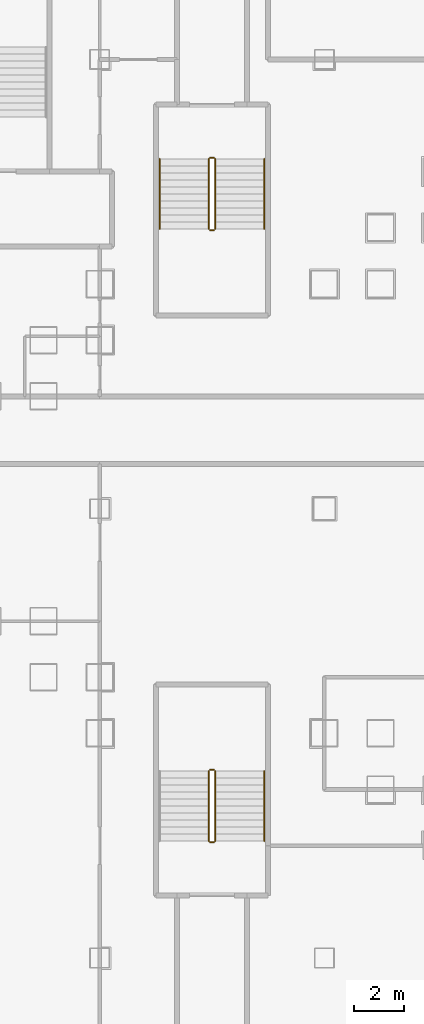
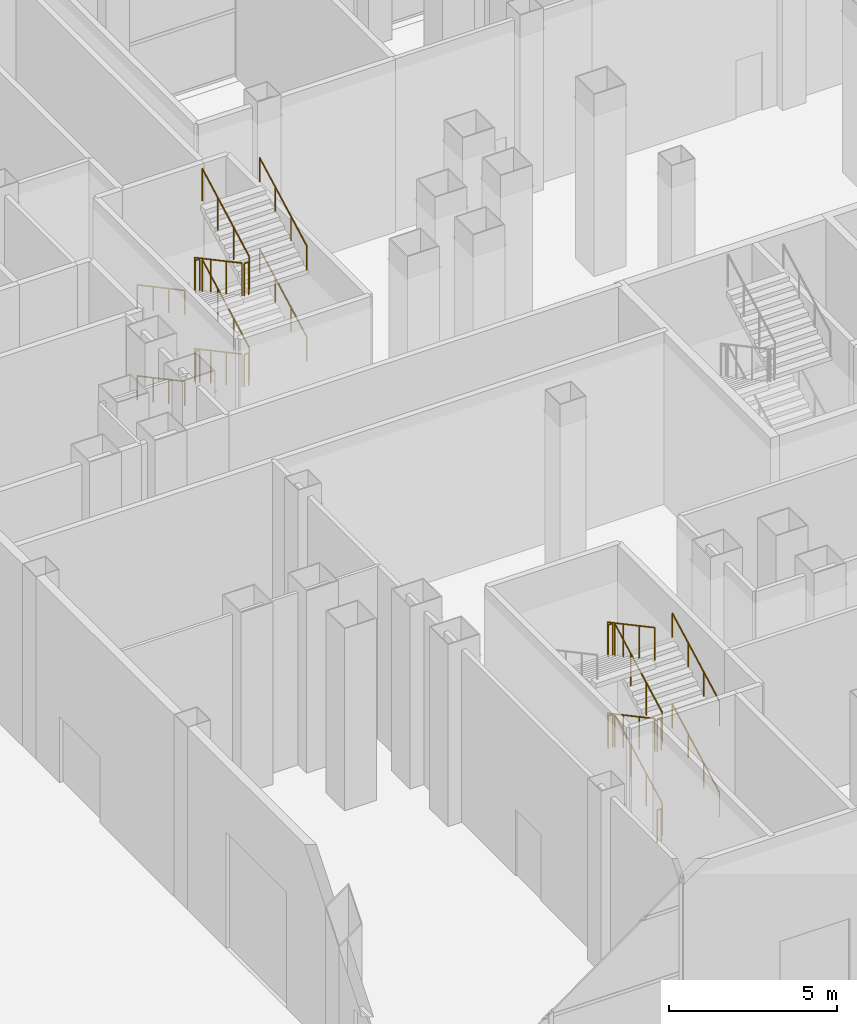
# One storey, part 31 of 38: 22 railings.
"""IFC4 building model written with IfcOpenShell, lengths in metres."""

from ifc_helpers import new_model, si_unit, direction, frame, origin, origin_2d, place, context, subcontext, project, spatial, circle, extrude, material, type_object, element, save


model = new_model("IFC4")

# Units and contexts
model_context = context("Model", 3, precision=1e-05, world=origin(), true_north=direction((0.0, 1.0)))
body_context = subcontext(model_context, "Body", "Model", "MODEL_VIEW")
ifc_project = project(units=[si_unit("LENGTHUNIT", "METRE"), si_unit("AREAUNIT", "SQUARE_METRE"), si_unit("VOLUMEUNIT", "CUBIC_METRE"), si_unit("PLANEANGLEUNIT", "RADIAN"), si_unit("MASSUNIT", "GRAM", prefix="KILO")], contexts=[model_context])

# Site, building, storey
site_placement = place(None, origin())
site = spatial("IfcSite", under=ifc_project, at=site_placement, CompositionType="ELEMENT")
building_placement = place(site_placement, origin())
building = spatial("IfcBuilding", under=site, at=building_placement, Name="Caravel Reach Hotel and Residences", CompositionType="ELEMENT")
storey_placement = place(building_placement, origin())
storey = spatial("IfcBuildingStorey", under=building, at=storey_placement, Name="L00", CompositionType="ELEMENT", Elevation=0.0)

# Railings
ifc_material_1 = material(Name="Steel balustrade with glass infill", Category="steel")
railing_type_1 = type_object("IfcRailingType", Name="Guard 1200", PredefinedType="GUARDRAIL", material=ifc_material_1)
railing_1_placement = place(storey_placement, frame((8.875, 41.010009765625, 0.14990234375)))
element("IfcRailing", 1, at=railing_1_placement, inside=storey, type_object=railing_type_1, Name="L00 ST-P1 stair guard 1", PredefinedType="GUARDRAIL", context=body_context, shape_type="SweptSolid", body=[
    extrude(circle(Radius=0.02392578125, at=origin_2d()), frame((0.0, 0.0, 1.17578125), z_axis=(0.0, -0.881483397762, 0.472215014025), x_axis=(1.0, 0.0, 0.0)), (0.0, 0.0, 1.0), 3.176513671875),
    extrude(circle(Radius=0.02099609375, at=origin_2d()), origin(), (0.0, 0.0, 1.0), 1.15185546875),
    extrude(circle(Radius=0.02099609375, at=origin_2d()), frame((0.0, -0.933349609375, 0.5)), (0.0, 0.0, 1.0), 1.15185546875),
    extrude(circle(Radius=0.02099609375, at=origin_2d()), frame((0.0, -1.86669921875, 1.0)), (0.0, 0.0, 1.0), 1.15185546875),
    extrude(circle(Radius=0.02099609375, at=origin_2d()), frame((0.0, -2.800048828125, 1.5)), (0.0, 0.0, 1.0), 1.15185546875),
])
railing_2_placement = place(storey_placement, frame((8.925048828125, 38.159912109375, 1.64990234375)))
element("IfcRailing", 2, at=railing_2_placement, inside=storey, type_object=railing_type_1, Name="L00 ST-P1 stair guard 2", PredefinedType="GUARDRAIL", context=body_context, shape_type="SweptSolid", body=[
    extrude(circle(Radius=0.02392578125, at=origin_2d()), frame((0.0, 0.0, 1.17578125), z_axis=(1.0, 0.0, 0.0), x_axis=(0.0, 1.0, 0.0)), (0.0, 0.0, 1.0), 0.14990234375),
    extrude(circle(Radius=0.02099609375, at=origin_2d()), origin(), (0.0, 0.0, 1.0), 1.15185546875),
    extrude(circle(Radius=0.02099609375, at=origin_2d()), frame((0.14990234375, 0.0, 0.0)), (0.0, 0.0, 1.0), 1.15185546875),
])
railing_3_placement = place(storey_placement, frame((9.125, 38.2099609375, 1.800048828125)))
element("IfcRailing", 3, at=railing_3_placement, inside=storey, type_object=railing_type_1, Name="L00 ST-P1 stair guard 3", PredefinedType="GUARDRAIL", context=body_context, shape_type="SweptSolid", body=[
    extrude(circle(Radius=0.02392578125, at=origin_2d()), frame((0.0, 0.0, 1.17578125), z_axis=(0.0, 0.881483397762, 0.472215014025), x_axis=(-1.0, 0.0, 0.0)), (0.0, 0.0, 1.0), 3.176513671875),
    extrude(circle(Radius=0.02099609375, at=origin_2d()), origin(), (0.0, 0.0, 1.0), 1.15185546875),
    extrude(circle(Radius=0.02099609375, at=origin_2d()), frame((0.0, 0.933349609375, 0.5)), (0.0, 0.0, 1.0), 1.15185546875),
    extrude(circle(Radius=0.02099609375, at=origin_2d()), frame((0.0, 1.86669921875, 1.0)), (0.0, 0.0, 1.0), 1.15185546875),
    extrude(circle(Radius=0.02099609375, at=origin_2d()), frame((0.0, 2.800048828125, 1.5)), (0.0, 0.0, 1.0), 1.15185546875),
])
railing_4_placement = place(storey_placement, frame((8.925048828125, 41.06005859375, 3.300048828125)))
element("IfcRailing", 4, at=railing_4_placement, inside=storey, type_object=railing_type_1, Name="L00 ST-P1 stair guard 4", PredefinedType="GUARDRAIL", context=body_context, shape_type="SweptSolid", body=[
    extrude(circle(Radius=0.02392578125, at=origin_2d()), frame((0.0, 0.0, 1.17578125), z_axis=(1.0, 0.0, 0.0), x_axis=(0.0, 1.0, 0.0)), (0.0, 0.0, 1.0), 0.14990234375),
    extrude(circle(Radius=0.02099609375, at=origin_2d()), origin(), (0.0, 0.0, 1.0), 1.15185546875),
    extrude(circle(Radius=0.02099609375, at=origin_2d()), frame((0.14990234375, 0.0, 0.0)), (0.0, 0.0, 1.0), 1.15185546875),
])
railing_5_placement = place(storey_placement, frame((8.875, 41.010009765625, 3.449951171875)))
element("IfcRailing", 5, at=railing_5_placement, inside=storey, type_object=railing_type_1, Name="L00 ST-P1 stair guard 5", PredefinedType="GUARDRAIL", context=body_context, shape_type="SweptSolid", body=[
    extrude(circle(Radius=0.02392578125, at=origin_2d()), frame((0.0, 0.0, 1.17578125), z_axis=(0.0, -0.881483397762, 0.472215014025), x_axis=(1.0, 0.0, 0.0)), (0.0, 0.0, 1.0), 3.176513671875),
    extrude(circle(Radius=0.02099609375, at=origin_2d()), origin(), (0.0, 0.0, 1.0), 1.15185546875),
    extrude(circle(Radius=0.02099609375, at=origin_2d()), frame((0.0, -0.933349609375, 0.5)), (0.0, 0.0, 1.0), 1.15185546875),
    extrude(circle(Radius=0.02099609375, at=origin_2d()), frame((0.0, -1.86669921875, 1.0)), (0.0, 0.0, 1.0), 1.15185546875),
    extrude(circle(Radius=0.02099609375, at=origin_2d()), frame((0.0, -2.800048828125, 1.5)), (0.0, 0.0, 1.0), 1.15185546875),
])
railing_6_placement = place(storey_placement, frame((8.925048828125, 38.159912109375, 4.949951171875)))
element("IfcRailing", 6, at=railing_6_placement, inside=storey, type_object=railing_type_1, Name="L00 ST-P1 stair guard 6", PredefinedType="GUARDRAIL", context=body_context, shape_type="SweptSolid", body=[
    extrude(circle(Radius=0.02392578125, at=origin_2d()), frame((0.0, 0.0, 1.17578125), z_axis=(1.0, 0.0, 0.0), x_axis=(0.0, 1.0, 0.0)), (0.0, 0.0, 1.0), 0.14990234375),
    extrude(circle(Radius=0.02099609375, at=origin_2d()), origin(), (0.0, 0.0, 1.0), 1.15185546875),
    extrude(circle(Radius=0.02099609375, at=origin_2d()), frame((0.14990234375, 0.0, 0.0)), (0.0, 0.0, 1.0), 1.15185546875),
])
railing_7_placement = place(storey_placement, frame((9.125, 38.2099609375, 5.10009765625)))
element("IfcRailing", 7, at=railing_7_placement, inside=storey, type_object=railing_type_1, Name="L00 ST-P1 stair guard 7", PredefinedType="GUARDRAIL", context=body_context, shape_type="SweptSolid", body=[
    extrude(circle(Radius=0.02392578125, at=origin_2d()), frame((0.0, 0.0, 1.17578125), z_axis=(0.0, 0.881483397762, 0.472215014025), x_axis=(-1.0, 0.0, 0.0)), (0.0, 0.0, 1.0), 3.176513671875),
    extrude(circle(Radius=0.02099609375, at=origin_2d()), origin(), (0.0, 0.0, 1.0), 1.15185546875),
    extrude(circle(Radius=0.02099609375, at=origin_2d()), frame((0.0, 0.933349609375, 0.5)), (0.0, 0.0, 1.0), 1.15185546875),
    extrude(circle(Radius=0.02099609375, at=origin_2d()), frame((0.0, 1.86669921875, 1.0)), (0.0, 0.0, 1.0), 1.15185546875),
    extrude(circle(Radius=0.02099609375, at=origin_2d()), frame((0.0, 2.800048828125, 1.5)), (0.0, 0.0, 1.0), 1.15185546875),
])
railing_8_placement = place(storey_placement, frame((8.925048828125, 41.06005859375, 0.0)))
element("IfcRailing", 8, at=railing_8_placement, inside=storey, type_object=railing_type_1, Name="L00 ST-P1 stair guard 8", PredefinedType="GUARDRAIL", context=body_context, shape_type="SweptSolid", body=[
    extrude(circle(Radius=0.02392578125, at=origin_2d()), frame((0.0, 0.0, 1.17578125), z_axis=(1.0, 0.0, 0.0), x_axis=(0.0, 1.0, 0.0)), (0.0, 0.0, 1.0), 0.14990234375),
    extrude(circle(Radius=0.02099609375, at=origin_2d()), origin(), (0.0, 0.0, 1.0), 1.15185546875),
    extrude(circle(Radius=0.02099609375, at=origin_2d()), frame((0.14990234375, 0.0, 0.0)), (0.0, 0.0, 1.0), 1.15185546875),
])
railing_9_placement = place(storey_placement, frame((9.125, 13.68994140625, 0.14990234375)))
element("IfcRailing", 9, at=railing_9_placement, inside=storey, type_object=railing_type_1, Name="L00 ST-P3 stair guard 1", PredefinedType="GUARDRAIL", context=body_context, shape_type="SweptSolid", body=[
    extrude(circle(Radius=0.02392578125, at=origin_2d()), frame((0.0, 0.0, 1.17578125), z_axis=(0.0, 0.881483397762, 0.472215014025), x_axis=(-1.0, 0.0, 0.0)), (0.0, 0.0, 1.0), 3.176513671875),
    extrude(circle(Radius=0.02099609375, at=origin_2d()), origin(), (0.0, 0.0, 1.0), 1.15185546875),
    extrude(circle(Radius=0.02099609375, at=origin_2d()), frame((0.0, 0.933349609375, 0.5)), (0.0, 0.0, 1.0), 1.15185546875),
    extrude(circle(Radius=0.02099609375, at=origin_2d()), frame((0.0, 1.86669921875, 1.0)), (0.0, 0.0, 1.0), 1.15185546875),
    extrude(circle(Radius=0.02099609375, at=origin_2d()), frame((0.0, 2.800048828125, 1.5)), (0.0, 0.0, 1.0), 1.15185546875),
])
railing_10_placement = place(storey_placement, frame((9.074951171875, 16.5400390625, 1.64990234375)))
element("IfcRailing", 10, at=railing_10_placement, inside=storey, type_object=railing_type_1, Name="L00 ST-P3 stair guard 2", PredefinedType="GUARDRAIL", context=body_context, shape_type="SweptSolid", body=[
    extrude(circle(Radius=0.02392578125, at=origin_2d()), frame((0.0, 0.0, 1.17578125), z_axis=(-1.0, 0.0, 0.0), x_axis=(0.0, -1.0, 0.0)), (0.0, 0.0, 1.0), 0.14990234375),
    extrude(circle(Radius=0.02099609375, at=origin_2d()), origin(), (0.0, 0.0, 1.0), 1.15185546875),
    extrude(circle(Radius=0.02099609375, at=origin_2d()), frame((-0.14990234375, 0.0, 0.0)), (0.0, 0.0, 1.0), 1.15185546875),
])
railing_11_placement = place(storey_placement, frame((8.875, 16.489990234375, 1.800048828125)))
element("IfcRailing", 11, at=railing_11_placement, inside=storey, type_object=railing_type_1, Name="L00 ST-P3 stair guard 3", PredefinedType="GUARDRAIL", context=body_context, shape_type="SweptSolid", body=[
    extrude(circle(Radius=0.02392578125, at=origin_2d()), frame((0.0, 0.0, 1.17578125), z_axis=(0.0, -0.881483397762, 0.472215014025), x_axis=(1.0, 0.0, 0.0)), (0.0, 0.0, 1.0), 3.176513671875),
    extrude(circle(Radius=0.02099609375, at=origin_2d()), origin(), (0.0, 0.0, 1.0), 1.15185546875),
    extrude(circle(Radius=0.02099609375, at=origin_2d()), frame((0.0, -0.933349609375, 0.5)), (0.0, 0.0, 1.0), 1.15185546875),
    extrude(circle(Radius=0.02099609375, at=origin_2d()), frame((0.0, -1.86669921875, 1.0)), (0.0, 0.0, 1.0), 1.15185546875),
    extrude(circle(Radius=0.02099609375, at=origin_2d()), frame((0.0, -2.800048828125, 1.5)), (0.0, 0.0, 1.0), 1.15185546875),
])
railing_12_placement = place(storey_placement, frame((9.074951171875, 13.639892578125, 3.300048828125)))
element("IfcRailing", 12, at=railing_12_placement, inside=storey, type_object=railing_type_1, Name="L00 ST-P3 stair guard 4", PredefinedType="GUARDRAIL", context=body_context, shape_type="SweptSolid", body=[
    extrude(circle(Radius=0.02392578125, at=origin_2d()), frame((0.0, 0.0, 1.17578125), z_axis=(-1.0, 0.0, 0.0), x_axis=(0.0, -1.0, 0.0)), (0.0, 0.0, 1.0), 0.14990234375),
    extrude(circle(Radius=0.02099609375, at=origin_2d()), origin(), (0.0, 0.0, 1.0), 1.15185546875),
    extrude(circle(Radius=0.02099609375, at=origin_2d()), frame((-0.14990234375, 0.0, 0.0)), (0.0, 0.0, 1.0), 1.15185546875),
])
railing_13_placement = place(storey_placement, frame((9.125, 13.68994140625, 3.449951171875)))
element("IfcRailing", 13, at=railing_13_placement, inside=storey, type_object=railing_type_1, Name="L00 ST-P3 stair guard 5", PredefinedType="GUARDRAIL", context=body_context, shape_type="SweptSolid", body=[
    extrude(circle(Radius=0.02392578125, at=origin_2d()), frame((0.0, 0.0, 1.17578125), z_axis=(0.0, 0.881483397762, 0.472215014025), x_axis=(-1.0, 0.0, 0.0)), (0.0, 0.0, 1.0), 3.176513671875),
    extrude(circle(Radius=0.02099609375, at=origin_2d()), origin(), (0.0, 0.0, 1.0), 1.15185546875),
    extrude(circle(Radius=0.02099609375, at=origin_2d()), frame((0.0, 0.933349609375, 0.5)), (0.0, 0.0, 1.0), 1.15185546875),
    extrude(circle(Radius=0.02099609375, at=origin_2d()), frame((0.0, 1.86669921875, 1.0)), (0.0, 0.0, 1.0), 1.15185546875),
    extrude(circle(Radius=0.02099609375, at=origin_2d()), frame((0.0, 2.800048828125, 1.5)), (0.0, 0.0, 1.0), 1.15185546875),
])
railing_14_placement = place(storey_placement, frame((9.074951171875, 16.5400390625, 4.949951171875)))
element("IfcRailing", 14, at=railing_14_placement, inside=storey, type_object=railing_type_1, Name="L00 ST-P3 stair guard 6", PredefinedType="GUARDRAIL", context=body_context, shape_type="SweptSolid", body=[
    extrude(circle(Radius=0.02392578125, at=origin_2d()), frame((0.0, 0.0, 1.17578125), z_axis=(-1.0, 0.0, 0.0), x_axis=(0.0, -1.0, 0.0)), (0.0, 0.0, 1.0), 0.14990234375),
    extrude(circle(Radius=0.02099609375, at=origin_2d()), origin(), (0.0, 0.0, 1.0), 1.15185546875),
    extrude(circle(Radius=0.02099609375, at=origin_2d()), frame((-0.14990234375, 0.0, 0.0)), (0.0, 0.0, 1.0), 1.15185546875),
])
railing_15_placement = place(storey_placement, frame((8.875, 16.489990234375, 5.10009765625)))
element("IfcRailing", 15, at=railing_15_placement, inside=storey, type_object=railing_type_1, Name="L00 ST-P3 stair guard 7", PredefinedType="GUARDRAIL", context=body_context, shape_type="SweptSolid", body=[
    extrude(circle(Radius=0.02392578125, at=origin_2d()), frame((0.0, 0.0, 1.17578125), z_axis=(0.0, -0.881483397762, 0.472215014025), x_axis=(1.0, 0.0, 0.0)), (0.0, 0.0, 1.0), 3.176513671875),
    extrude(circle(Radius=0.02099609375, at=origin_2d()), origin(), (0.0, 0.0, 1.0), 1.15185546875),
    extrude(circle(Radius=0.02099609375, at=origin_2d()), frame((0.0, -0.933349609375, 0.5)), (0.0, 0.0, 1.0), 1.15185546875),
    extrude(circle(Radius=0.02099609375, at=origin_2d()), frame((0.0, -1.86669921875, 1.0)), (0.0, 0.0, 1.0), 1.15185546875),
    extrude(circle(Radius=0.02099609375, at=origin_2d()), frame((0.0, -2.800048828125, 1.5)), (0.0, 0.0, 1.0), 1.15185546875),
])
railing_16_placement = place(storey_placement, frame((9.074951171875, 13.639892578125, 0.0)))
element("IfcRailing", 16, at=railing_16_placement, inside=storey, type_object=railing_type_1, Name="L00 ST-P3 stair guard 8", PredefinedType="GUARDRAIL", context=body_context, shape_type="SweptSolid", body=[
    extrude(circle(Radius=0.02392578125, at=origin_2d()), frame((0.0, 0.0, 1.17578125), z_axis=(-1.0, 0.0, 0.0), x_axis=(0.0, -1.0, 0.0)), (0.0, 0.0, 1.0), 0.14990234375),
    extrude(circle(Radius=0.02099609375, at=origin_2d()), origin(), (0.0, 0.0, 1.0), 1.15185546875),
    extrude(circle(Radius=0.02099609375, at=origin_2d()), frame((-0.14990234375, 0.0, 0.0)), (0.0, 0.0, 1.0), 1.15185546875),
])
ifc_material_2 = material(Name="Stainless steel handrail", Category="steel")
railing_type_2 = type_object("IfcRailingType", Name="Handrail 900", PredefinedType="HANDRAIL", material=ifc_material_2)
railing_17_placement = place(storey_placement, frame((6.905029296875, 41.010009765625, 0.14990234375)))
element("IfcRailing", 17, at=railing_17_placement, inside=storey, type_object=railing_type_2, Name="L00 ST-P1 stair handrail 1", PredefinedType="HANDRAIL", context=body_context, shape_type="SweptSolid", body=[
    extrude(circle(Radius=0.02392578125, at=origin_2d()), frame((0.0, 0.0, 0.8759765625), z_axis=(0.0, -0.881483397762, 0.472215014025), x_axis=(1.0, 0.0, 0.0)), (0.0, 0.0, 1.0), 3.176513671875),
    extrude(circle(Radius=0.02099609375, at=origin_2d()), origin(), (0.0, 0.0, 1.0), 0.851806640625),
    extrude(circle(Radius=0.02099609375, at=origin_2d()), frame((0.0, -0.933349609375, 0.5)), (0.0, 0.0, 1.0), 0.851806640625),
    extrude(circle(Radius=0.02099609375, at=origin_2d()), frame((0.0, -1.86669921875, 1.0)), (0.0, 0.0, 1.0), 0.851806640625),
    extrude(circle(Radius=0.02099609375, at=origin_2d()), frame((0.0, -2.800048828125, 1.5)), (0.0, 0.0, 1.0), 0.851806640625),
])
railing_18_placement = place(storey_placement, frame((11.094970703125, 38.2099609375, 1.800048828125)))
element("IfcRailing", 18, at=railing_18_placement, inside=storey, type_object=railing_type_2, Name="L00 ST-P1 stair handrail 2", PredefinedType="HANDRAIL", context=body_context, shape_type="SweptSolid", body=[
    extrude(circle(Radius=0.02392578125, at=origin_2d()), frame((0.0, 0.0, 0.8759765625), z_axis=(0.0, 0.881483397762, 0.472215014025), x_axis=(-1.0, 0.0, 0.0)), (0.0, 0.0, 1.0), 3.176513671875),
    extrude(circle(Radius=0.02099609375, at=origin_2d()), origin(), (0.0, 0.0, 1.0), 0.851806640625),
    extrude(circle(Radius=0.02099609375, at=origin_2d()), frame((0.0, 0.933349609375, 0.5)), (0.0, 0.0, 1.0), 0.851806640625),
    extrude(circle(Radius=0.02099609375, at=origin_2d()), frame((0.0, 1.86669921875, 1.0)), (0.0, 0.0, 1.0), 0.851806640625),
    extrude(circle(Radius=0.02099609375, at=origin_2d()), frame((0.0, 2.800048828125, 1.5)), (0.0, 0.0, 1.0), 0.851806640625),
])
railing_19_placement = place(storey_placement, frame((6.905029296875, 41.010009765625, 3.449951171875)))
element("IfcRailing", 19, at=railing_19_placement, inside=storey, type_object=railing_type_2, Name="L00 ST-P1 stair handrail 3", PredefinedType="HANDRAIL", context=body_context, shape_type="SweptSolid", body=[
    extrude(circle(Radius=0.02392578125, at=origin_2d()), frame((0.0, 0.0, 0.8759765625), z_axis=(0.0, -0.881483397762, 0.472215014025), x_axis=(1.0, 0.0, 0.0)), (0.0, 0.0, 1.0), 3.176513671875),
    extrude(circle(Radius=0.02099609375, at=origin_2d()), origin(), (0.0, 0.0, 1.0), 0.851806640625),
    extrude(circle(Radius=0.02099609375, at=origin_2d()), frame((0.0, -0.933349609375, 0.5)), (0.0, 0.0, 1.0), 0.851806640625),
    extrude(circle(Radius=0.02099609375, at=origin_2d()), frame((0.0, -1.86669921875, 1.0)), (0.0, 0.0, 1.0), 0.851806640625),
    extrude(circle(Radius=0.02099609375, at=origin_2d()), frame((0.0, -2.800048828125, 1.5)), (0.0, 0.0, 1.0), 0.851806640625),
])
for number, where, name in (
    (20, (11.094970703125, 38.2099609375, 5.10009765625), "L00 ST-P1 stair handrail 4"),
    (21, (11.094970703125, 13.68994140625, 0.14990234375), "L00 ST-P3 stair handrail 1"),
    (22, (11.094970703125, 13.68994140625, 3.449951171875), "L00 ST-P3 stair handrail 3"),
):
    element("IfcRailing", number, at=place(storey_placement, frame(where)), inside=storey, type_object=railing_type_2, Name=name, PredefinedType="HANDRAIL", context=body_context, shape_type="SweptSolid", body=[
        extrude(circle(Radius=0.02392578125, at=origin_2d()), frame((0.0, 0.0, 0.8759765625), z_axis=(0.0, 0.881483397762, 0.472215014025), x_axis=(-1.0, 0.0, 0.0)), (0.0, 0.0, 1.0), 3.176513671875),
        extrude(circle(Radius=0.02099609375, at=origin_2d()), origin(), (0.0, 0.0, 1.0), 0.851806640625),
        extrude(circle(Radius=0.02099609375, at=origin_2d()), frame((0.0, 0.933349609375, 0.5)), (0.0, 0.0, 1.0), 0.851806640625),
        extrude(circle(Radius=0.02099609375, at=origin_2d()), frame((0.0, 1.86669921875, 1.0)), (0.0, 0.0, 1.0), 0.851806640625),
        extrude(circle(Radius=0.02099609375, at=origin_2d()), frame((0.0, 2.800048828125, 1.5)), (0.0, 0.0, 1.0), 0.851806640625),
    ])

save(model, "model.ifc")
